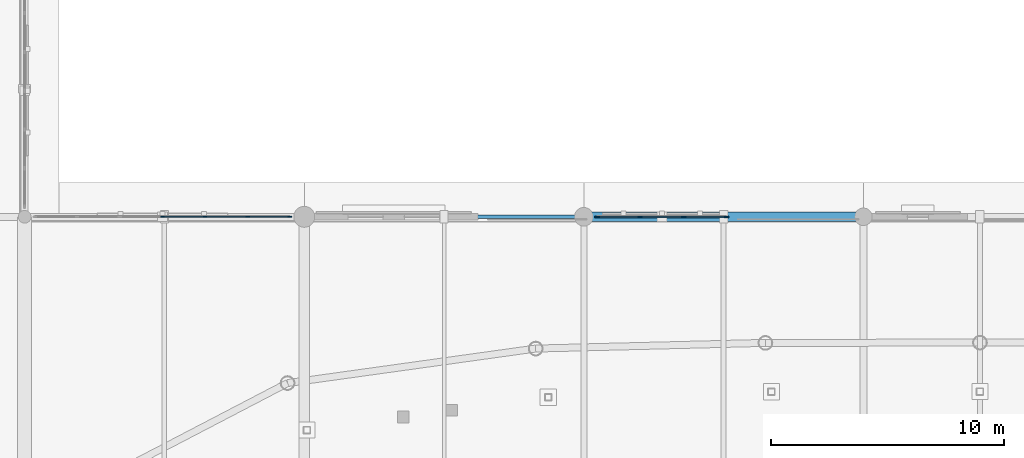
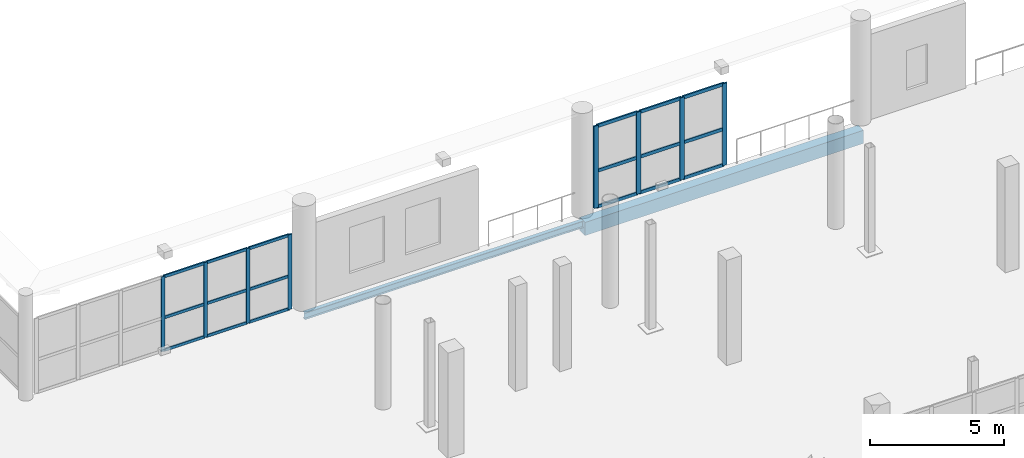
# One storey, part 52 of 143: 26 members, 2 beams, 2 elements without a shape of their own.
"""IFC4 building model written with IfcOpenShell, lengths in metres."""

from ifc_helpers import new_model, si_unit, direction, frame, origin, origin_2d, place, context, subcontext, project, spatial, rectangle, i_section, extrude, material, material_profile, profile_set, type_object, element, aggregate, save


model = new_model("IFC4")

# Units and contexts
model_context = context("Model", 3, precision=1e-05, world=origin(), true_north=direction((0.0, 1.0)))
body_context = subcontext(model_context, "Body", "Model", "MODEL_VIEW")
ifc_project = project(units=[si_unit("LENGTHUNIT", "METRE"), si_unit("AREAUNIT", "SQUARE_METRE"), si_unit("VOLUMEUNIT", "CUBIC_METRE"), si_unit("PLANEANGLEUNIT", "RADIAN"), si_unit("MASSUNIT", "GRAM", prefix="KILO")], contexts=[model_context])

# Site, building, storey
site_placement = place(None, origin())
site = spatial("IfcSite", under=ifc_project, at=site_placement, CompositionType="ELEMENT")
building_placement = place(site_placement, origin())
building = spatial("IfcBuilding", under=site, at=building_placement, Name="Luwafu Chhajja Arena", CompositionType="ELEMENT")
storey_placement = place(building_placement, frame((0.0, 0.0, 5.39990234375)))
storey = spatial("IfcBuildingStorey", under=building, at=storey_placement, Name="L01", CompositionType="ELEMENT", Elevation=5.39990234375)

# Curtain wall, members
ifc_material_1 = material(Name="Anodised bronze aluminium", Category="aluminium")
curtain_wall_type_1 = type_object("IfcCurtainWallType", Name="Charbagh Cloister Curtain Wall", PredefinedType="USERDEFINED", material=ifc_material_1)
curtain_wall_1_placement = place(storey_placement, origin())
curtain_wall_1 = element("IfcCurtainWall", 1, at=curtain_wall_1_placement, inside=storey, type_object=curtain_wall_type_1, Name="L01 Curtain Wall CWG-L01-H05_09", ObjectType="CURTAIN WALL", PredefinedType="USERDEFINED")
ifc_material_profile_1 = material_profile(ifc_material_1, rectangle(XDim=0.06005859375, YDim=0.159912109375, at=origin_2d()), Name="CWM 60x160")
ifc_profile_set_1 = profile_set([ifc_material_profile_1], Name="Anodised bronze aluminium")
member_type_1 = type_object("IfcMemberType", Name="Bronze Curtain Wall Mullion 60x160", PredefinedType="MULLION", material=ifc_profile_set_1)
member_1_placement = place(storey_placement, frame((63.91259765625, 99.0, 0.030029296875), z_axis=(0.0, 0.0, 1.0), x_axis=(0.0, 1.0, 0.0)))
member_1 = element("IfcMember", 2, at=member_1_placement, type_object=member_type_1, Name="CW-06 mullion 4", PredefinedType="MULLION", context=body_context, shape_type="SweptSolid", body=[
    extrude(rectangle(XDim=0.06005859375, YDim=0.159912109375, at=origin_2d()), origin(), (0.0, 0.0, 1.0), 3.41015625),
])
member_2_placement = place(storey_placement, frame((65.7451171875, 99.0, 0.030029296875), z_axis=(0.0, 0.0, 1.0), x_axis=(0.0, 1.0, 0.0)))
member_2 = element("IfcMember", 3, at=member_2_placement, type_object=member_type_1, Name="CW-06 mullion 5", PredefinedType="MULLION", context=body_context, shape_type="SweptSolid", body=[
    extrude(rectangle(XDim=0.06005859375, YDim=0.159912109375, at=origin_2d()), origin(), (0.0, 0.0, 1.0), 3.41015625),
])
member_3_placement = place(storey_placement, frame((67.577392578125, 99.0, 0.030029296875), z_axis=(0.0, 0.0, 1.0), x_axis=(0.0, 1.0, 0.0)))
member_3 = element("IfcMember", 4, at=member_3_placement, type_object=member_type_1, Name="CW-06 mullion 6", PredefinedType="MULLION", context=body_context, shape_type="SweptSolid", body=[
    extrude(rectangle(XDim=0.06005859375, YDim=0.159912109375, at=origin_2d()), origin(), (0.0, 0.0, 1.0), 3.41015625),
])
member_4_placement = place(storey_placement, frame((69.3798828125, 99.0, 0.030029296875), z_axis=(0.0, 0.0, 1.0), x_axis=(0.0, 1.0, 0.0)))
member_4 = element("IfcMember", 5, at=member_4_placement, type_object=member_type_1, Name="CW-06 mullion 7", PredefinedType="MULLION", context=body_context, shape_type="SweptSolid", body=[
    extrude(rectangle(XDim=0.06005859375, YDim=0.159912109375, at=origin_2d()), origin(), (0.0, 0.0, 1.0), 3.41015625),
])

curtain_wall_type_2 = type_object("IfcCurtainWallType", Name="Hospitality Ring Curtain Wall", PredefinedType="USERDEFINED", material=ifc_material_1)
curtain_wall_2_placement = place(storey_placement, origin())
curtain_wall_2 = element("IfcCurtainWall", 6, at=curtain_wall_2_placement, inside=storey, type_object=curtain_wall_type_2, Name="L01 Curtain Wall CWG-L01-H07_09", ObjectType="CURTAIN WALL", PredefinedType="USERDEFINED")
ifc_material_profile_2 = material_profile(ifc_material_1, rectangle(XDim=0.06494140625, YDim=0.199951171875, at=origin_2d()), Name="CWM 65x200")
ifc_profile_set_2 = profile_set([ifc_material_profile_2], Name="Anodised bronze aluminium")
member_type_2 = type_object("IfcMemberType", Name="Bronze Curtain Wall Mullion 65x200", PredefinedType="MULLION", material=ifc_profile_set_2)
member_5_placement = place(storey_placement, frame((82.572509765625, 99.0, 0.030029296875), z_axis=(0.0, 0.0, 1.0), x_axis=(0.0, 1.0, 0.0)))
member_5 = element("IfcMember", 7, at=member_5_placement, type_object=member_type_2, Name="CW-02 mullion 1", PredefinedType="MULLION", context=body_context, shape_type="SweptSolid", body=[
    extrude(rectangle(XDim=0.06494140625, YDim=0.199951171875, at=origin_2d()), origin(), (0.0, 0.0, 1.0), 3.739990234375),
])
member_6_placement = place(storey_placement, frame((84.412353515625, 99.0, 0.030029296875), z_axis=(0.0, 0.0, 1.0), x_axis=(0.0, 1.0, 0.0)))
member_6 = element("IfcMember", 8, at=member_6_placement, type_object=member_type_2, Name="CW-02 mullion 2", PredefinedType="MULLION", context=body_context, shape_type="SweptSolid", body=[
    extrude(rectangle(XDim=0.06494140625, YDim=0.199951171875, at=origin_2d()), origin(), (0.0, 0.0, 1.0), 3.739990234375),
])
member_7_placement = place(storey_placement, frame((86.28466796875, 99.0, 0.030029296875), z_axis=(0.0, 0.0, 1.0), x_axis=(0.0, 1.0, 0.0)))
member_7 = element("IfcMember", 9, at=member_7_placement, type_object=member_type_2, Name="CW-02 mullion 3", PredefinedType="MULLION", context=body_context, shape_type="SweptSolid", body=[
    extrude(rectangle(XDim=0.06494140625, YDim=0.199951171875, at=origin_2d()), origin(), (0.0, 0.0, 1.0), 3.739990234375),
])
member_8_placement = place(storey_placement, frame((88.12451171875, 99.0, 0.030029296875), z_axis=(0.0, 0.0, 1.0), x_axis=(0.0, 1.0, 0.0)))
member_8 = element("IfcMember", 10, at=member_8_placement, type_object=member_type_2, Name="CW-02 mullion 4", PredefinedType="MULLION", context=body_context, shape_type="SweptSolid", body=[
    extrude(rectangle(XDim=0.06494140625, YDim=0.199951171875, at=origin_2d()), origin(), (0.0, 0.0, 1.0), 3.739990234375),
])

# Member
ifc_material_profile_3 = material_profile(ifc_material_1, rectangle(XDim=0.06005859375, YDim=0.1298828125, at=origin_2d()), Name="CWT 60x130")
ifc_profile_set_3 = profile_set([ifc_material_profile_3], Name="Anodised bronze aluminium")
member_type_3 = type_object("IfcMemberType", Name="Bronze Curtain Wall Transom 60x130", PredefinedType="USERDEFINED", material=ifc_profile_set_3)
member_9_placement = place(storey_placement, frame((63.9423828125, 99.0, 0.06005859375), z_axis=(1.0, 0.0, 0.0), x_axis=(0.0, 1.0, 0.0)))
member_9 = element("IfcMember", 11, at=member_9_placement, type_object=member_type_3, Name="CW-06 transom 4.1", ObjectType="TRANSOM", PredefinedType="USERDEFINED", context=body_context, shape_type="SweptSolid", body=[
    extrude(rectangle(XDim=0.06005859375, YDim=0.1298828125, at=origin_2d()), origin(), (0.0, 0.0, 1.0), 1.772705078125),
])

member_10_placement = place(storey_placement, frame((63.9423828125, 99.0, 1.548095703125), z_axis=(1.0, 0.0, 0.0), x_axis=(0.0, 1.0, 0.0)))
member_10 = element("IfcMember", 12, at=member_10_placement, type_object=member_type_3, Name="CW-06 transom 4.2", ObjectType="TRANSOM", PredefinedType="USERDEFINED", context=body_context, shape_type="SweptSolid", body=[
    extrude(rectangle(XDim=0.06005859375, YDim=0.1298828125, at=origin_2d()), origin(), (0.0, 0.0, 1.0), 1.772705078125),
])

member_11_placement = place(storey_placement, frame((63.9423828125, 99.0, 3.41015625), z_axis=(1.0, 0.0, 0.0), x_axis=(0.0, 1.0, 0.0)))
member_11 = element("IfcMember", 13, at=member_11_placement, type_object=member_type_3, Name="CW-06 transom 4.3", ObjectType="TRANSOM", PredefinedType="USERDEFINED", context=body_context, shape_type="SweptSolid", body=[
    extrude(rectangle(XDim=0.06005859375, YDim=0.1298828125, at=origin_2d()), origin(), (0.0, 0.0, 1.0), 1.772705078125),
])

member_12_placement = place(storey_placement, frame((65.77490234375, 99.0, 0.06005859375), z_axis=(1.0, 0.0, 0.0), x_axis=(0.0, 1.0, 0.0)))
member_12 = element("IfcMember", 14, at=member_12_placement, type_object=member_type_3, Name="CW-06 transom 5.1", ObjectType="TRANSOM", PredefinedType="USERDEFINED", context=body_context, shape_type="SweptSolid", body=[
    extrude(rectangle(XDim=0.06005859375, YDim=0.1298828125, at=origin_2d()), origin(), (0.0, 0.0, 1.0), 1.772705078125),
])

member_13_placement = place(storey_placement, frame((65.77490234375, 99.0, 1.548095703125), z_axis=(1.0, 0.0, 0.0), x_axis=(0.0, 1.0, 0.0)))
member_13 = element("IfcMember", 15, at=member_13_placement, type_object=member_type_3, Name="CW-06 transom 5.2", ObjectType="TRANSOM", PredefinedType="USERDEFINED", context=body_context, shape_type="SweptSolid", body=[
    extrude(rectangle(XDim=0.06005859375, YDim=0.1298828125, at=origin_2d()), origin(), (0.0, 0.0, 1.0), 1.772705078125),
])

member_14_placement = place(storey_placement, frame((65.77490234375, 99.0, 3.41015625), z_axis=(1.0, 0.0, 0.0), x_axis=(0.0, 1.0, 0.0)))
member_14 = element("IfcMember", 16, at=member_14_placement, type_object=member_type_3, Name="CW-06 transom 5.3", ObjectType="TRANSOM", PredefinedType="USERDEFINED", context=body_context, shape_type="SweptSolid", body=[
    extrude(rectangle(XDim=0.06005859375, YDim=0.1298828125, at=origin_2d()), origin(), (0.0, 0.0, 1.0), 1.772705078125),
])

member_15_placement = place(storey_placement, frame((67.607421875, 99.0, 0.06005859375), z_axis=(1.0, 0.0, 0.0), x_axis=(0.0, 1.0, 0.0)))
member_15 = element("IfcMember", 17, at=member_15_placement, type_object=member_type_3, Name="CW-06 transom 6.1", ObjectType="TRANSOM", PredefinedType="USERDEFINED", context=body_context, shape_type="SweptSolid", body=[
    extrude(rectangle(XDim=0.06005859375, YDim=0.1298828125, at=origin_2d()), origin(), (0.0, 0.0, 1.0), 1.74267578125),
])

member_16_placement = place(storey_placement, frame((67.607421875, 99.0, 1.548095703125), z_axis=(1.0, 0.0, 0.0), x_axis=(0.0, 1.0, 0.0)))
member_16 = element("IfcMember", 18, at=member_16_placement, type_object=member_type_3, Name="CW-06 transom 6.2", ObjectType="TRANSOM", PredefinedType="USERDEFINED", context=body_context, shape_type="SweptSolid", body=[
    extrude(rectangle(XDim=0.06005859375, YDim=0.1298828125, at=origin_2d()), origin(), (0.0, 0.0, 1.0), 1.74267578125),
])

member_17_placement = place(storey_placement, frame((67.607421875, 99.0, 3.41015625), z_axis=(1.0, 0.0, 0.0), x_axis=(0.0, 1.0, 0.0)))
member_17 = element("IfcMember", 19, at=member_17_placement, type_object=member_type_3, Name="CW-06 transom 6.3", ObjectType="TRANSOM", PredefinedType="USERDEFINED", context=body_context, shape_type="SweptSolid", body=[
    extrude(rectangle(XDim=0.06005859375, YDim=0.1298828125, at=origin_2d()), origin(), (0.0, 0.0, 1.0), 1.74267578125),
])

aggregate(curtain_wall_1, [member_1, member_2, member_3, member_4, member_9, member_10, member_11, member_12, member_13, member_14, member_15, member_16, member_17])

ifc_material_profile_4 = material_profile(ifc_material_1, rectangle(XDim=0.06494140625, YDim=0.14990234375, at=origin_2d()), Name="CWT 65x150")
ifc_profile_set_4 = profile_set([ifc_material_profile_4], Name="Anodised bronze aluminium")
member_type_4 = type_object("IfcMemberType", Name="Bronze Curtain Wall Transom 65x150", PredefinedType="USERDEFINED", material=ifc_profile_set_4)
member_18_placement = place(storey_placement, frame((82.60498046875, 99.0, 0.0625), z_axis=(1.0, 0.0, 0.0), x_axis=(0.0, 1.0, 0.0)))
member_18 = element("IfcMember", 20, at=member_18_placement, type_object=member_type_4, Name="CW-02 transom 1.1", ObjectType="TRANSOM", PredefinedType="USERDEFINED", context=body_context, shape_type="SweptSolid", body=[
    extrude(rectangle(XDim=0.06494140625, YDim=0.14990234375, at=origin_2d()), origin(), (0.0, 0.0, 1.0), 1.77490234375),
])

member_19_placement = place(storey_placement, frame((82.60498046875, 99.0, 1.696533203125), z_axis=(1.0, 0.0, 0.0), x_axis=(0.0, 1.0, 0.0)))
member_19 = element("IfcMember", 21, at=member_19_placement, type_object=member_type_4, Name="CW-02 transom 1.2", ObjectType="TRANSOM", PredefinedType="USERDEFINED", context=body_context, shape_type="SweptSolid", body=[
    extrude(rectangle(XDim=0.06494140625, YDim=0.14990234375, at=origin_2d()), origin(), (0.0, 0.0, 1.0), 1.77490234375),
])

member_20_placement = place(storey_placement, frame((82.60498046875, 99.0, 3.7373046875), z_axis=(1.0, 0.0, 0.0), x_axis=(0.0, 1.0, 0.0)))
member_20 = element("IfcMember", 22, at=member_20_placement, type_object=member_type_4, Name="CW-02 transom 1.3", ObjectType="TRANSOM", PredefinedType="USERDEFINED", context=body_context, shape_type="SweptSolid", body=[
    extrude(rectangle(XDim=0.06494140625, YDim=0.14990234375, at=origin_2d()), origin(), (0.0, 0.0, 1.0), 1.77490234375),
])

member_21_placement = place(storey_placement, frame((84.44482421875, 99.0, 0.0625), z_axis=(1.0, 0.0, 0.0), x_axis=(0.0, 1.0, 0.0)))
member_21 = element("IfcMember", 23, at=member_21_placement, type_object=member_type_4, Name="CW-02 transom 2.1", ObjectType="TRANSOM", PredefinedType="USERDEFINED", context=body_context, shape_type="SweptSolid", body=[
    extrude(rectangle(XDim=0.06494140625, YDim=0.14990234375, at=origin_2d()), origin(), (0.0, 0.0, 1.0), 1.807373046875),
])

member_22_placement = place(storey_placement, frame((84.44482421875, 99.0, 1.696533203125), z_axis=(1.0, 0.0, 0.0), x_axis=(0.0, 1.0, 0.0)))
member_22 = element("IfcMember", 24, at=member_22_placement, type_object=member_type_4, Name="CW-02 transom 2.2", ObjectType="TRANSOM", PredefinedType="USERDEFINED", context=body_context, shape_type="SweptSolid", body=[
    extrude(rectangle(XDim=0.06494140625, YDim=0.14990234375, at=origin_2d()), origin(), (0.0, 0.0, 1.0), 1.807373046875),
])

member_23_placement = place(storey_placement, frame((84.44482421875, 99.0, 3.7373046875), z_axis=(1.0, 0.0, 0.0), x_axis=(0.0, 1.0, 0.0)))
member_23 = element("IfcMember", 25, at=member_23_placement, type_object=member_type_4, Name="CW-02 transom 2.3", ObjectType="TRANSOM", PredefinedType="USERDEFINED", context=body_context, shape_type="SweptSolid", body=[
    extrude(rectangle(XDim=0.06494140625, YDim=0.14990234375, at=origin_2d()), origin(), (0.0, 0.0, 1.0), 1.807373046875),
])

member_24_placement = place(storey_placement, frame((86.317138671875, 99.0, 0.0625), z_axis=(1.0, 0.0, 0.0), x_axis=(0.0, 1.0, 0.0)))
member_24 = element("IfcMember", 26, at=member_24_placement, type_object=member_type_4, Name="CW-02 transom 3.1", ObjectType="TRANSOM", PredefinedType="USERDEFINED", context=body_context, shape_type="SweptSolid", body=[
    extrude(rectangle(XDim=0.06494140625, YDim=0.14990234375, at=origin_2d()), origin(), (0.0, 0.0, 1.0), 1.77490234375),
])

member_25_placement = place(storey_placement, frame((86.317138671875, 99.0, 1.696533203125), z_axis=(1.0, 0.0, 0.0), x_axis=(0.0, 1.0, 0.0)))
member_25 = element("IfcMember", 27, at=member_25_placement, type_object=member_type_4, Name="CW-02 transom 3.2", ObjectType="TRANSOM", PredefinedType="USERDEFINED", context=body_context, shape_type="SweptSolid", body=[
    extrude(rectangle(XDim=0.06494140625, YDim=0.14990234375, at=origin_2d()), origin(), (0.0, 0.0, 1.0), 1.77490234375),
])

member_26_placement = place(storey_placement, frame((86.317138671875, 99.0, 3.7373046875), z_axis=(1.0, 0.0, 0.0), x_axis=(0.0, 1.0, 0.0)))
member_26 = element("IfcMember", 28, at=member_26_placement, type_object=member_type_4, Name="CW-02 transom 3.3", ObjectType="TRANSOM", PredefinedType="USERDEFINED", context=body_context, shape_type="SweptSolid", body=[
    extrude(rectangle(XDim=0.06494140625, YDim=0.14990234375, at=origin_2d()), origin(), (0.0, 0.0, 1.0), 1.77490234375),
])

aggregate(curtain_wall_2, [member_5, member_6, member_7, member_8, member_18, member_19, member_20, member_21, member_22, member_23, member_24, member_25, member_26])

# Beams
ifc_material_2 = material(Name="Steel S355", Category="steel")
ifc_material_profile_5 = material_profile(ifc_material_2, i_section(OverallWidth=0.165771484375, OverallDepth=0.306640625, WebThickness=0.006591796875, FlangeThickness=0.01171875, at=origin_2d()), Name="UB 305x165x46")
ifc_profile_set_5 = profile_set([ifc_material_profile_5], Name="Steel S355")
beam_type_1 = type_object("IfcBeamType", Name="Concourse Edge Spandrel Beam UB 305x165x46", PredefinedType="SPANDREL", material=ifc_profile_set_5)
beam_1_placement = place(storey_placement, frame((70.0, 99.0, -0.483154296875), z_axis=(1.0, 0.0, 0.0), x_axis=(0.0, 1.0, 0.0)))
element("IfcBeam", 29, at=beam_1_placement, inside=storey, type_object=beam_type_1, Name="L01 Grid Beam 7-8/K", PredefinedType="SPANDREL", context=body_context, shape_type="SweptSolid", body=[
    extrude(i_section(OverallWidth=0.165771484375, OverallDepth=0.306640625, WebThickness=0.006591796875, FlangeThickness=0.01171875, at=origin_2d()), origin(), (0.0, 0.0, 1.0), 12.0),
])
ifc_material_3 = material(Name="Concrete C35/45", Category="concrete")
ifc_material_profile_6 = material_profile(ifc_material_3, rectangle(XDim=0.39990234375, YDim=0.60009765625, at=origin_2d()), Name="RC 400x600")
ifc_profile_set_6 = profile_set([ifc_material_profile_6], Name="Concrete C35/45")
beam_type_2 = type_object("IfcBeamType", Name="Podium Perimeter Spandrel RC 400x600", PredefinedType="SPANDREL", material=ifc_profile_set_6)
beam_2_placement = place(storey_placement, frame((82.0, 99.0, -0.6298828125), z_axis=(1.0, 0.0, 0.0), x_axis=(0.0, 1.0, 0.0)))
element("IfcBeam", 30, at=beam_2_placement, inside=storey, type_object=beam_type_2, Name="L01 Grid Beam 8-9/K", PredefinedType="SPANDREL", context=body_context, shape_type="SweptSolid", body=[
    extrude(rectangle(XDim=0.39990234375, YDim=0.60009765625, at=origin_2d()), origin(), (0.0, 0.0, 1.0), 12.0),
])

save(model, "model.ifc")
